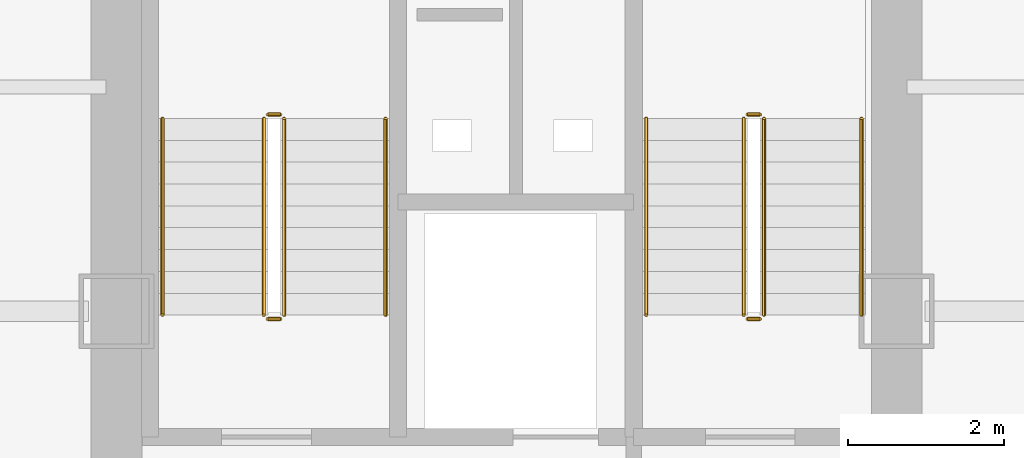
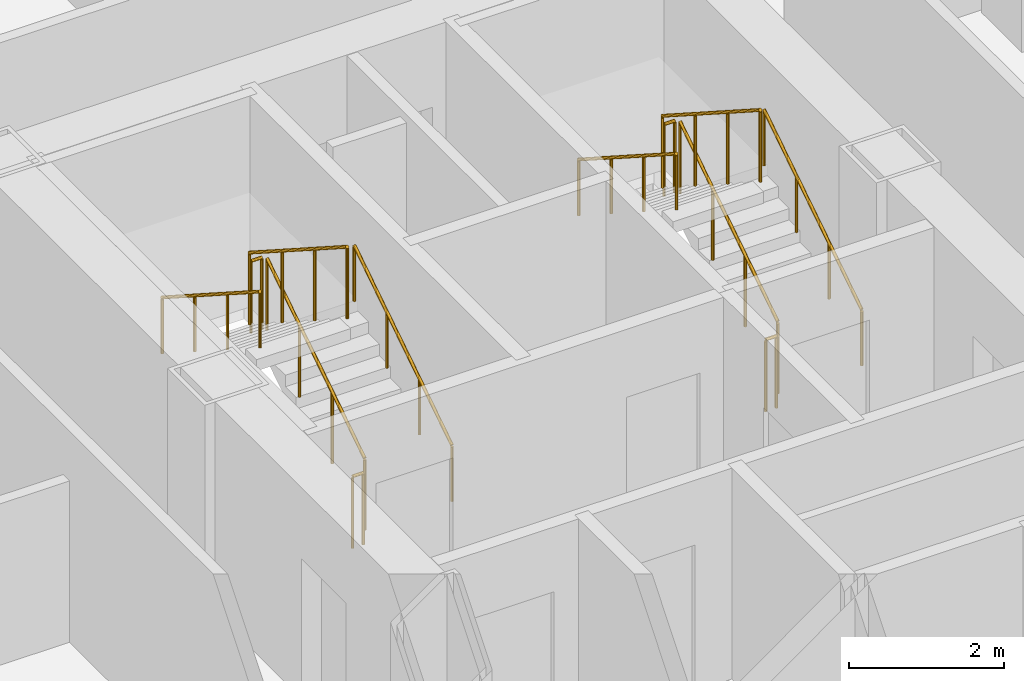
# One storey, part 20 of 21: 12 railings.
"""IFC4 building model written with IfcOpenShell, lengths in metres."""

from ifc_helpers import new_model, si_unit, direction, frame, origin, origin_2d, place, context, subcontext, project, spatial, circle, extrude, material, type_object, element, save


model = new_model("IFC4")

# Units and contexts
model_context = context("Model", 3, precision=1e-05, world=origin(), true_north=direction((0.0, 1.0)))
body_context = subcontext(model_context, "Body", "Model", "MODEL_VIEW")
ifc_project = project(units=[si_unit("LENGTHUNIT", "METRE"), si_unit("AREAUNIT", "SQUARE_METRE"), si_unit("VOLUMEUNIT", "CUBIC_METRE"), si_unit("PLANEANGLEUNIT", "RADIAN"), si_unit("MASSUNIT", "GRAM", prefix="KILO")], contexts=[model_context])

# Site, building, storey
site_placement = place(None, origin())
site = spatial("IfcSite", under=ifc_project, at=site_placement, CompositionType="ELEMENT")
building_placement = place(site_placement, origin())
building = spatial("IfcBuilding", under=site, at=building_placement, Name="Kolveth Station Tower", CompositionType="ELEMENT")
storey_placement = place(building_placement, frame((0.0, 0.0, 40.5)))
storey = spatial("IfcBuildingStorey", under=building, at=storey_placement, Name="L10", CompositionType="ELEMENT", Elevation=40.5)

# Railings
ifc_material_1 = material(Name="Painted Steel S355 balustrade", Category="steel")
railing_type_1 = type_object("IfcRailingType", Name="Guard_GR2", PredefinedType="BALUSTRADE", material=ifc_material_1)
railing_1_placement = place(storey_placement, frame((20.64990234375, 22.949951171875, 0.179931640625)))
element("IfcRailing", 1, at=railing_1_placement, inside=storey, type_object=railing_type_1, Name="L10 ST1 stair guard 1", PredefinedType="BALUSTRADE", context=body_context, shape_type="SweptSolid", body=[
    extrude(circle(Radius=0.02392578125, at=origin_2d()), frame((0.0, 0.0, 1.1259765625), z_axis=(0.0, 0.841162588446, 0.540782303519), x_axis=(-1.0, 0.0, 0.0)), (0.0, 0.0, 1.0), 2.995849609375),
    extrude(circle(Radius=0.02099609375, at=origin_2d()), origin(), (0.0, 0.0, 1.0), 1.101806640625),
    extrude(circle(Radius=0.02099609375, at=origin_2d()), frame((0.0, 0.840087890625, 0.5400390625)), (0.0, 0.0, 1.0), 1.101806640625),
    extrude(circle(Radius=0.02099609375, at=origin_2d()), frame((0.0, 1.679931640625, 1.080078125)), (0.0, 0.0, 1.0), 1.101806640625),
    extrude(circle(Radius=0.02099609375, at=origin_2d()), frame((0.0, 2.52001953125, 1.6201171875)), (0.0, 0.0, 1.0), 1.101806640625),
])
railing_2_placement = place(storey_placement, frame((20.60009765625, 25.52001953125, 1.800048828125)))
element("IfcRailing", 2, at=railing_2_placement, inside=storey, type_object=railing_type_1, Name="L10 ST1 stair guard 2", PredefinedType="BALUSTRADE", context=body_context, shape_type="SweptSolid", body=[
    extrude(circle(Radius=0.02392578125, at=origin_2d()), frame((0.0, 0.0, 1.1259765625), z_axis=(-1.0, 0.0, 0.0), x_axis=(0.0, -1.0, 0.0)), (0.0, 0.0, 1.0), 0.16015625),
    extrude(circle(Radius=0.02099609375, at=origin_2d()), origin(), (0.0, 0.0, 1.0), 1.101806640625),
    extrude(circle(Radius=0.02099609375, at=origin_2d()), frame((-0.16015625, 0.0, 0.0)), (0.0, 0.0, 1.0), 1.101806640625),
])
railing_3_placement = place(storey_placement, frame((20.389892578125, 25.469970703125, 1.97998046875)))
element("IfcRailing", 3, at=railing_3_placement, inside=storey, type_object=railing_type_1, Name="L10 ST1 stair guard 3", PredefinedType="BALUSTRADE", context=body_context, shape_type="SweptSolid", body=[
    extrude(circle(Radius=0.02392578125, at=origin_2d()), frame((0.0, 0.0, 1.1259765625), z_axis=(0.0, -0.841162588446, 0.540782303519), x_axis=(1.0, 0.0, 0.0)), (0.0, 0.0, 1.0), 2.995849609375),
    extrude(circle(Radius=0.02099609375, at=origin_2d()), origin(), (0.0, 0.0, 1.0), 1.101806640625),
    extrude(circle(Radius=0.02099609375, at=origin_2d()), frame((0.0, -0.840087890625, 0.5400390625)), (0.0, 0.0, 1.0), 1.101806640625),
    extrude(circle(Radius=0.02099609375, at=origin_2d()), frame((0.0, -1.679931640625, 1.080078125)), (0.0, 0.0, 1.0), 1.101806640625),
    extrude(circle(Radius=0.02099609375, at=origin_2d()), frame((0.0, -2.52001953125, 1.6201171875)), (0.0, 0.0, 1.0), 1.101806640625),
])
railing_4_placement = place(storey_placement, frame((20.60009765625, 22.89990234375, 0.0)))
element("IfcRailing", 4, at=railing_4_placement, inside=storey, type_object=railing_type_1, Name="L10 ST1 stair guard 4", PredefinedType="BALUSTRADE", context=body_context, shape_type="SweptSolid", body=[
    extrude(circle(Radius=0.02392578125, at=origin_2d()), frame((0.0, 0.0, 1.1259765625), z_axis=(-1.0, 0.0, 0.0), x_axis=(0.0, -1.0, 0.0)), (0.0, 0.0, 1.0), 0.16015625),
    extrude(circle(Radius=0.02099609375, at=origin_2d()), origin(), (0.0, 0.0, 1.0), 1.101806640625),
    extrude(circle(Radius=0.02099609375, at=origin_2d()), frame((-0.16015625, 0.0, 0.0)), (0.0, 0.0, 1.0), 1.101806640625),
])
railing_5_placement = place(storey_placement, frame((26.800048828125, 22.949951171875, 0.179931640625)))
element("IfcRailing", 5, at=railing_5_placement, inside=storey, type_object=railing_type_1, Name="L10 ST2 stair guard 1", PredefinedType="BALUSTRADE", context=body_context, shape_type="SweptSolid", body=[
    extrude(circle(Radius=0.02392578125, at=origin_2d()), frame((0.0, 0.0, 1.1259765625), z_axis=(0.0, 0.841162588446, 0.540782303519), x_axis=(-1.0, 0.0, 0.0)), (0.0, 0.0, 1.0), 2.995849609375),
    extrude(circle(Radius=0.02099609375, at=origin_2d()), origin(), (0.0, 0.0, 1.0), 1.101806640625),
    extrude(circle(Radius=0.02099609375, at=origin_2d()), frame((0.0, 0.840087890625, 0.5400390625)), (0.0, 0.0, 1.0), 1.101806640625),
    extrude(circle(Radius=0.02099609375, at=origin_2d()), frame((0.0, 1.679931640625, 1.080078125)), (0.0, 0.0, 1.0), 1.101806640625),
    extrude(circle(Radius=0.02099609375, at=origin_2d()), frame((0.0, 2.52001953125, 1.6201171875)), (0.0, 0.0, 1.0), 1.101806640625),
])
railing_6_placement = place(storey_placement, frame((26.75, 25.52001953125, 1.800048828125)))
element("IfcRailing", 6, at=railing_6_placement, inside=storey, type_object=railing_type_1, Name="L10 ST2 stair guard 2", PredefinedType="BALUSTRADE", context=body_context, shape_type="SweptSolid", body=[
    extrude(circle(Radius=0.02392578125, at=origin_2d()), frame((0.0, 0.0, 1.1259765625), z_axis=(-1.0, 0.0, 0.0), x_axis=(0.0, -1.0, 0.0)), (0.0, 0.0, 1.0), 0.159912109375),
    extrude(circle(Radius=0.02099609375, at=origin_2d()), origin(), (0.0, 0.0, 1.0), 1.101806640625),
    extrude(circle(Radius=0.02099609375, at=origin_2d()), frame((-0.159912109375, 0.0, 0.0)), (0.0, 0.0, 1.0), 1.101806640625),
])
railing_7_placement = place(storey_placement, frame((26.5400390625, 25.469970703125, 1.97998046875)))
element("IfcRailing", 7, at=railing_7_placement, inside=storey, type_object=railing_type_1, Name="L10 ST2 stair guard 3", PredefinedType="BALUSTRADE", context=body_context, shape_type="SweptSolid", body=[
    extrude(circle(Radius=0.02392578125, at=origin_2d()), frame((0.0, 0.0, 1.1259765625), z_axis=(0.0, -0.841162588446, 0.540782303519), x_axis=(1.0, 0.0, 0.0)), (0.0, 0.0, 1.0), 2.995849609375),
    extrude(circle(Radius=0.02099609375, at=origin_2d()), origin(), (0.0, 0.0, 1.0), 1.101806640625),
    extrude(circle(Radius=0.02099609375, at=origin_2d()), frame((0.0, -0.840087890625, 0.5400390625)), (0.0, 0.0, 1.0), 1.101806640625),
    extrude(circle(Radius=0.02099609375, at=origin_2d()), frame((0.0, -1.679931640625, 1.080078125)), (0.0, 0.0, 1.0), 1.101806640625),
    extrude(circle(Radius=0.02099609375, at=origin_2d()), frame((0.0, -2.52001953125, 1.6201171875)), (0.0, 0.0, 1.0), 1.101806640625),
])
railing_8_placement = place(storey_placement, frame((26.75, 22.89990234375, 0.0)))
element("IfcRailing", 8, at=railing_8_placement, inside=storey, type_object=railing_type_1, Name="L10 ST2 stair guard 4", PredefinedType="BALUSTRADE", context=body_context, shape_type="SweptSolid", body=[
    extrude(circle(Radius=0.02392578125, at=origin_2d()), frame((0.0, 0.0, 1.1259765625), z_axis=(-1.0, 0.0, 0.0), x_axis=(0.0, -1.0, 0.0)), (0.0, 0.0, 1.0), 0.159912109375),
    extrude(circle(Radius=0.02099609375, at=origin_2d()), origin(), (0.0, 0.0, 1.0), 1.101806640625),
    extrude(circle(Radius=0.02099609375, at=origin_2d()), frame((-0.159912109375, 0.0, 0.0)), (0.0, 0.0, 1.0), 1.101806640625),
])
ifc_material_2 = material(Name="Brushed stainless steel", Category="steel")
railing_type_2 = type_object("IfcRailingType", Name="Handrail_HR1", PredefinedType="HANDRAIL", material=ifc_material_2)
railing_9_placement = place(storey_placement, frame((21.949951171875, 22.949951171875, 0.179931640625)))
element("IfcRailing", 9, at=railing_9_placement, inside=storey, type_object=railing_type_2, Name="L10 ST1 stair handrail 1", PredefinedType="HANDRAIL", context=body_context, shape_type="SweptSolid", body=[
    extrude(circle(Radius=0.02392578125, at=origin_2d()), frame((0.0, 0.0, 0.8759765625), z_axis=(0.0, 0.841162588446, 0.540782303519), x_axis=(-1.0, 0.0, 0.0)), (0.0, 0.0, 1.0), 2.995849609375),
    extrude(circle(Radius=0.02099609375, at=origin_2d()), origin(), (0.0, 0.0, 1.0), 0.851806640625),
    extrude(circle(Radius=0.02099609375, at=origin_2d()), frame((0.0, 0.840087890625, 0.5400390625)), (0.0, 0.0, 1.0), 0.851806640625),
    extrude(circle(Radius=0.02099609375, at=origin_2d()), frame((0.0, 1.679931640625, 1.080078125)), (0.0, 0.0, 1.0), 0.851806640625),
    extrude(circle(Radius=0.02099609375, at=origin_2d()), frame((0.0, 2.52001953125, 1.6201171875)), (0.0, 0.0, 1.0), 0.851806640625),
])
railing_10_placement = place(storey_placement, frame((19.090087890625, 25.469970703125, 1.97998046875)))
element("IfcRailing", 10, at=railing_10_placement, inside=storey, type_object=railing_type_2, Name="L10 ST1 stair handrail 2", PredefinedType="HANDRAIL", context=body_context, shape_type="SweptSolid", body=[
    extrude(circle(Radius=0.02392578125, at=origin_2d()), frame((0.0, 0.0, 0.8759765625), z_axis=(0.0, -0.841162588446, 0.540782303519), x_axis=(1.0, 0.0, 0.0)), (0.0, 0.0, 1.0), 2.995849609375),
    extrude(circle(Radius=0.02099609375, at=origin_2d()), origin(), (0.0, 0.0, 1.0), 0.851806640625),
    extrude(circle(Radius=0.02099609375, at=origin_2d()), frame((0.0, -0.840087890625, 0.5400390625)), (0.0, 0.0, 1.0), 0.851806640625),
    extrude(circle(Radius=0.02099609375, at=origin_2d()), frame((0.0, -1.679931640625, 1.080078125)), (0.0, 0.0, 1.0), 0.851806640625),
    extrude(circle(Radius=0.02099609375, at=origin_2d()), frame((0.0, -2.52001953125, 1.6201171875)), (0.0, 0.0, 1.0), 0.851806640625),
])
railing_11_placement = place(storey_placement, frame((28.050048828125, 22.949951171875, 0.179931640625)))
element("IfcRailing", 11, at=railing_11_placement, inside=storey, type_object=railing_type_2, Name="L10 ST2 stair handrail 1", PredefinedType="HANDRAIL", context=body_context, shape_type="SweptSolid", body=[
    extrude(circle(Radius=0.02392578125, at=origin_2d()), frame((0.0, 0.0, 0.8759765625), z_axis=(0.0, 0.841162588446, 0.540782303519), x_axis=(-1.0, 0.0, 0.0)), (0.0, 0.0, 1.0), 2.995849609375),
    extrude(circle(Radius=0.02099609375, at=origin_2d()), origin(), (0.0, 0.0, 1.0), 0.851806640625),
    extrude(circle(Radius=0.02099609375, at=origin_2d()), frame((0.0, 0.840087890625, 0.5400390625)), (0.0, 0.0, 1.0), 0.851806640625),
    extrude(circle(Radius=0.02099609375, at=origin_2d()), frame((0.0, 1.679931640625, 1.080078125)), (0.0, 0.0, 1.0), 0.851806640625),
    extrude(circle(Radius=0.02099609375, at=origin_2d()), frame((0.0, 2.52001953125, 1.6201171875)), (0.0, 0.0, 1.0), 0.851806640625),
])
railing_12_placement = place(storey_placement, frame((25.2900390625, 25.469970703125, 1.97998046875)))
element("IfcRailing", 12, at=railing_12_placement, inside=storey, type_object=railing_type_2, Name="L10 ST2 stair handrail 2", PredefinedType="HANDRAIL", context=body_context, shape_type="SweptSolid", body=[
    extrude(circle(Radius=0.02392578125, at=origin_2d()), frame((0.0, 0.0, 0.8759765625), z_axis=(0.0, -0.841162588446, 0.540782303519), x_axis=(1.0, 0.0, 0.0)), (0.0, 0.0, 1.0), 2.995849609375),
    extrude(circle(Radius=0.02099609375, at=origin_2d()), origin(), (0.0, 0.0, 1.0), 0.851806640625),
    extrude(circle(Radius=0.02099609375, at=origin_2d()), frame((0.0, -0.840087890625, 0.5400390625)), (0.0, 0.0, 1.0), 0.851806640625),
    extrude(circle(Radius=0.02099609375, at=origin_2d()), frame((0.0, -1.679931640625, 1.080078125)), (0.0, 0.0, 1.0), 0.851806640625),
    extrude(circle(Radius=0.02099609375, at=origin_2d()), frame((0.0, -2.52001953125, 1.6201171875)), (0.0, 0.0, 1.0), 0.851806640625),
])

save(model, "model.ifc")
